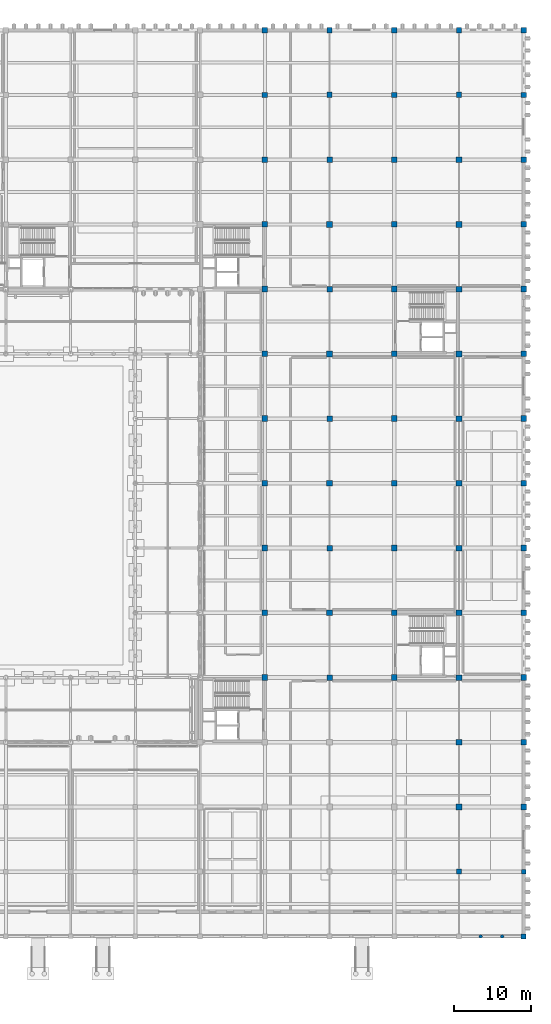
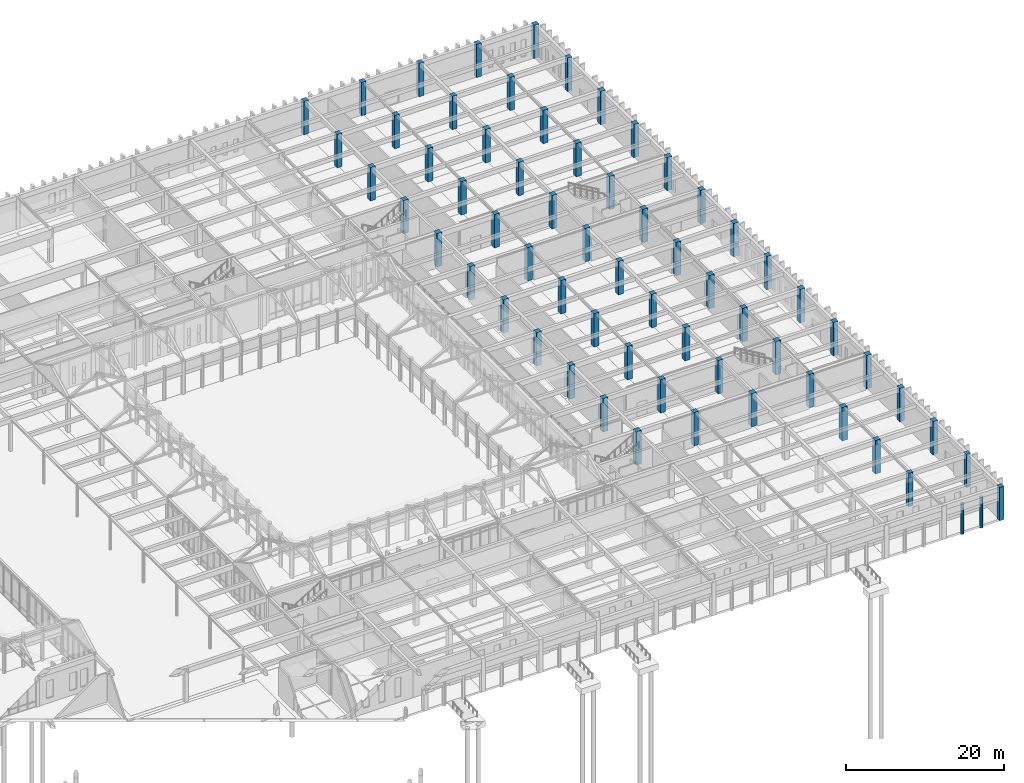
# One storey, part 20 of 143: 64 columns.
"""IFC4 building model written with IfcOpenShell, lengths in metres."""

from ifc_helpers import new_model, si_unit, direction, frame, origin, origin_2d, place, context, subcontext, project, spatial, rectangle, circle, extrude, material, material_profile, profile_set, type_object, element, save


model = new_model("IFC4")

# Units and contexts
model_context = context("Model", 3, precision=1e-05, world=origin(), true_north=direction((0.0, 1.0)))
body_context = subcontext(model_context, "Body", "Model", "MODEL_VIEW")
ifc_project = project(units=[si_unit("LENGTHUNIT", "METRE"), si_unit("AREAUNIT", "SQUARE_METRE"), si_unit("VOLUMEUNIT", "CUBIC_METRE"), si_unit("PLANEANGLEUNIT", "RADIAN"), si_unit("MASSUNIT", "GRAM", prefix="KILO")], contexts=[model_context])

# Site, building, storey
site_placement = place(None, origin())
site = spatial("IfcSite", under=ifc_project, at=site_placement, CompositionType="ELEMENT")
building_placement = place(site_placement, origin())
building = spatial("IfcBuilding", under=site, at=building_placement, Name="Kveldsbrygga Polytechnic", CompositionType="ELEMENT")
storey_placement = place(building_placement, origin())
storey = spatial("IfcBuildingStorey", under=building, at=storey_placement, Name="L00", CompositionType="ELEMENT", Elevation=0.0)

# Columns
ifc_material = material(Name="Concrete C45/55", Category="concrete")
ifc_material_profile_1 = material_profile(ifc_material, circle(Radius=0.22509765625, at=origin_2d()), Name="RC D450")
ifc_profile_set_1 = profile_set([ifc_material_profile_1], Name="Concrete C45/55")
column_type_1 = type_object("IfcColumnType", Name="COL-ARC-D450", PredefinedType="COLUMN", material=ifc_profile_set_1)
for number, where, z_axis, x_axis, name in (
    (1, (162.39990234375, 0.0, -0.320068359375), (0.0, 0.0, 1.0), (1.0, 0.0, 0.0), "Cloister Arcade Pier COL-ARC-039"),
    (2, (165.199951171875, 0.0, -0.320068359375), (0.0, 0.0, 1.0), (1.0, 0.0, 0.0), "Cloister Arcade Pier COL-ARC-040"),
):
    element("IfcColumn", number, at=place(storey_placement, frame(where, z_axis=z_axis, x_axis=x_axis)), inside=storey, type_object=column_type_1, Name=name, PredefinedType="COLUMN", context=body_context, shape_type="SweptSolid", body=[
        extrude(circle(Radius=0.22509765625, at=origin_2d()), origin(), (0.0, 0.0, 1.0), 4.719970703125),
    ])
ifc_material_profile_2 = material_profile(ifc_material, rectangle(XDim=0.6201171875, YDim=0.6201171875, at=origin_2d()), Name="RC 620x620")
ifc_profile_set_2 = profile_set([ifc_material_profile_2], Name="Concrete C45/55")
column_type_2 = type_object("IfcColumnType", Name="COL-RC-620", PredefinedType="COLUMN", material=ifc_profile_set_2)
column_placement = place(storey_placement, frame((168.0, 8.39990234375, 0.0), z_axis=(0.0, 0.0, 1.0), x_axis=(1.0, 0.0, 0.0)))
element("IfcColumn", 3, at=column_placement, inside=storey, type_object=column_type_2, Name="Column COL-L00-20-01", PredefinedType="COLUMN", context=body_context, shape_type="SweptSolid", body=[
    extrude(rectangle(XDim=0.6201171875, YDim=0.6201171875, at=origin_2d()), origin(), (0.0, 0.0, 1.0), 5.139892578125),
])
ifc_material_profile_3 = material_profile(ifc_material, rectangle(XDim=0.64990234375, YDim=0.64990234375, at=origin_2d()), Name="RC 650x650")
ifc_profile_set_3 = profile_set([ifc_material_profile_3], Name="Concrete C45/55")
column_type_3 = type_object("IfcColumnType", Name="COL-RC-650", PredefinedType="COLUMN", material=ifc_profile_set_3)
for number, where, z_axis, x_axis, name in (
    (4, (159.60009765625, 8.39990234375, 0.0), (0.0, 0.0, 1.0), (1.0, 0.0, 0.0), "Column COL-L00-19-01"),
    (5, (168.0, 0.0, 0.0), (0.0, 0.0, 1.0), (1.0, 0.0, 0.0), "Column COL-L00-20-00"),
):
    element("IfcColumn", number, at=place(storey_placement, frame(where, z_axis=z_axis, x_axis=x_axis)), inside=storey, type_object=column_type_3, Name=name, PredefinedType="COLUMN", context=body_context, shape_type="SweptSolid", body=[
        extrude(rectangle(XDim=0.64990234375, YDim=0.64990234375, at=origin_2d()), origin(), (0.0, 0.0, 1.0), 5.139892578125),
    ])
ifc_material_profile_4 = material_profile(ifc_material, rectangle(XDim=0.679931640625, YDim=0.679931640625, at=origin_2d()), Name="RC 680x680")
ifc_profile_set_4 = profile_set([ifc_material_profile_4], Name="Concrete C45/55")
column_type_4 = type_object("IfcColumnType", Name="COL-RC-680", PredefinedType="COLUMN", material=ifc_profile_set_4)
for number, where, z_axis, x_axis, name in (
    (6, (134.39990234375, 109.199951171875, 0.0), (0.0, 0.0, 1.0), (1.0, 0.0, 0.0), "Column COL-L00-16-13"),
    (7, (142.800048828125, 117.60009765625, 0.0), (0.0, 0.0, 1.0), (1.0, 0.0, 0.0), "Column COL-L00-17-14"),
    (8, (151.199951171875, 109.199951171875, 0.0), (0.0, 0.0, 1.0), (1.0, 0.0, 0.0), "Column COL-L00-18-13"),
    (9, (159.60009765625, 117.60009765625, 0.0), (0.0, 0.0, 1.0), (1.0, 0.0, 0.0), "Column COL-L00-19-14"),
    (10, (168.0, 109.199951171875, 0.0), (0.0, 0.0, 1.0), (1.0, 0.0, 0.0), "Column COL-L00-20-13"),
):
    element("IfcColumn", number, at=place(storey_placement, frame(where, z_axis=z_axis, x_axis=x_axis)), inside=storey, type_object=column_type_4, Name=name, PredefinedType="COLUMN", context=body_context, shape_type="SweptSolid", body=[
        extrude(rectangle(XDim=0.679931640625, YDim=0.679931640625, at=origin_2d()), origin(), (0.0, 0.0, 1.0), 5.139892578125),
    ])
ifc_material_profile_5 = material_profile(ifc_material, rectangle(XDim=0.699951171875, YDim=0.699951171875, at=origin_2d()), Name="RC 700x700")
ifc_profile_set_5 = profile_set([ifc_material_profile_5], Name="Concrete C45/55")
column_type_5 = type_object("IfcColumnType", Name="COL-RC-700", PredefinedType="COLUMN", material=ifc_profile_set_5)
for number, where, z_axis, x_axis, name in (
    (11, (134.39990234375, 117.60009765625, 0.0), (0.0, 0.0, 1.0), (1.0, 0.0, 0.0), "Column COL-L00-16-14"),
    (12, (142.800048828125, 109.199951171875, 0.0), (0.0, 0.0, 1.0), (1.0, 0.0, 0.0), "Column COL-L00-17-13"),
    (13, (151.199951171875, 117.60009765625, 0.0), (0.0, 0.0, 1.0), (1.0, 0.0, 0.0), "Column COL-L00-18-14"),
    (14, (159.60009765625, 109.199951171875, 0.0), (0.0, 0.0, 1.0), (1.0, 0.0, 0.0), "Column COL-L00-19-13"),
    (15, (168.0, 117.60009765625, 0.0), (0.0, 0.0, 1.0), (1.0, 0.0, 0.0), "Column COL-L00-20-14"),
):
    element("IfcColumn", number, at=place(storey_placement, frame(where, z_axis=z_axis, x_axis=x_axis)), inside=storey, type_object=column_type_5, Name=name, PredefinedType="COLUMN", context=body_context, shape_type="SweptSolid", body=[
        extrude(rectangle(XDim=0.699951171875, YDim=0.699951171875, at=origin_2d()), origin(), (0.0, 0.0, 1.0), 5.139892578125),
    ])
ifc_material_profile_6 = material_profile(ifc_material, rectangle(XDim=0.719970703125, YDim=0.719970703125, at=origin_2d()), Name="RC 720x720")
ifc_profile_set_6 = profile_set([ifc_material_profile_6], Name="Concrete C45/55")
column_type_6 = type_object("IfcColumnType", Name="COL-RC-720", PredefinedType="COLUMN", material=ifc_profile_set_6)
for number, where, z_axis, x_axis, name in (
    (16, (134.39990234375, 42.0, 0.0), (0.0, 0.0, 1.0), (1.0, 0.0, 0.0), "Column COL-L00-16-05"),
    (17, (134.39990234375, 58.800048828125, 0.0), (0.0, 0.0, 1.0), (1.0, 0.0, 0.0), "Column COL-L00-16-07"),
    (18, (134.39990234375, 75.60009765625, 0.0), (0.0, 0.0, 1.0), (1.0, 0.0, 0.0), "Column COL-L00-16-09"),
    (19, (134.39990234375, 92.39990234375, 0.0), (0.0, 0.0, 1.0), (1.0, 0.0, 0.0), "Column COL-L00-16-11"),
    (20, (142.800048828125, 33.60009765625, 0.0), (0.0, 0.0, 1.0), (1.0, 0.0, 0.0), "Column COL-L00-17-04"),
    (21, (142.800048828125, 50.39990234375, 0.0), (0.0, 0.0, 1.0), (1.0, 0.0, 0.0), "Column COL-L00-17-06"),
    (22, (142.800048828125, 67.199951171875, 0.0), (0.0, 0.0, 1.0), (1.0, 0.0, 0.0), "Column COL-L00-17-08"),
    (23, (142.800048828125, 84.0, 0.0), (0.0, 0.0, 1.0), (1.0, 0.0, 0.0), "Column COL-L00-17-10"),
    (24, (142.800048828125, 100.800048828125, 0.0), (0.0, 0.0, 1.0), (1.0, 0.0, 0.0), "Column COL-L00-17-12"),
    (25, (151.199951171875, 42.0, 0.0), (0.0, 0.0, 1.0), (1.0, 0.0, 0.0), "Column COL-L00-18-05"),
    (26, (151.199951171875, 58.800048828125, 0.0), (0.0, 0.0, 1.0), (1.0, 0.0, 0.0), "Column COL-L00-18-07"),
    (27, (151.199951171875, 75.60009765625, 0.0), (0.0, 0.0, 1.0), (1.0, 0.0, 0.0), "Column COL-L00-18-09"),
    (28, (151.199951171875, 92.39990234375, 0.0), (0.0, 0.0, 1.0), (1.0, 0.0, 0.0), "Column COL-L00-18-11"),
    (29, (159.60009765625, 16.800048828125, 0.0), (0.0, 0.0, 1.0), (1.0, 0.0, 0.0), "Column COL-L00-19-02"),
    (30, (159.60009765625, 33.60009765625, 0.0), (0.0, 0.0, 1.0), (1.0, 0.0, 0.0), "Column COL-L00-19-04"),
    (31, (159.60009765625, 50.39990234375, 0.0), (0.0, 0.0, 1.0), (1.0, 0.0, 0.0), "Column COL-L00-19-06"),
    (32, (159.60009765625, 67.199951171875, 0.0), (0.0, 0.0, 1.0), (1.0, 0.0, 0.0), "Column COL-L00-19-08"),
    (33, (159.60009765625, 84.0, 0.0), (0.0, 0.0, 1.0), (1.0, 0.0, 0.0), "Column COL-L00-19-10"),
    (34, (159.60009765625, 100.800048828125, 0.0), (0.0, 0.0, 1.0), (1.0, 0.0, 0.0), "Column COL-L00-19-12"),
    (35, (168.0, 25.199951171875, 0.0), (0.0, 0.0, 1.0), (1.0, 0.0, 0.0), "Column COL-L00-20-03"),
    (36, (168.0, 42.0, 0.0), (0.0, 0.0, 1.0), (1.0, 0.0, 0.0), "Column COL-L00-20-05"),
    (37, (168.0, 58.800048828125, 0.0), (0.0, 0.0, 1.0), (1.0, 0.0, 0.0), "Column COL-L00-20-07"),
    (38, (168.0, 75.60009765625, 0.0), (0.0, 0.0, 1.0), (1.0, 0.0, 0.0), "Column COL-L00-20-09"),
    (39, (168.0, 92.39990234375, 0.0), (0.0, 0.0, 1.0), (1.0, 0.0, 0.0), "Column COL-L00-20-11"),
):
    element("IfcColumn", number, at=place(storey_placement, frame(where, z_axis=z_axis, x_axis=x_axis)), inside=storey, type_object=column_type_6, Name=name, PredefinedType="COLUMN", context=body_context, shape_type="SweptSolid", body=[
        extrude(rectangle(XDim=0.719970703125, YDim=0.719970703125, at=origin_2d()), origin(), (0.0, 0.0, 1.0), 5.139892578125),
    ])
ifc_material_profile_7 = material_profile(ifc_material, rectangle(XDim=0.75, YDim=0.75, at=origin_2d()), Name="RC 750x750")
ifc_profile_set_7 = profile_set([ifc_material_profile_7], Name="Concrete C45/55")
column_type_7 = type_object("IfcColumnType", Name="COL-RC-750", PredefinedType="COLUMN", material=ifc_profile_set_7)
for number, where, z_axis, x_axis, name in (
    (40, (134.39990234375, 33.60009765625, 0.0), (0.0, 0.0, 1.0), (1.0, 0.0, 0.0), "Column COL-L00-16-04"),
    (41, (134.39990234375, 50.39990234375, 0.0), (0.0, 0.0, 1.0), (1.0, 0.0, 0.0), "Column COL-L00-16-06"),
    (42, (134.39990234375, 67.199951171875, 0.0), (0.0, 0.0, 1.0), (1.0, 0.0, 0.0), "Column COL-L00-16-08"),
    (43, (134.39990234375, 84.0, 0.0), (0.0, 0.0, 1.0), (1.0, 0.0, 0.0), "Column COL-L00-16-10"),
    (44, (134.39990234375, 100.800048828125, 0.0), (0.0, 0.0, 1.0), (1.0, 0.0, 0.0), "Column COL-L00-16-12"),
    (45, (142.800048828125, 42.0, 0.0), (0.0, 0.0, 1.0), (1.0, 0.0, 0.0), "Column COL-L00-17-05"),
    (46, (142.800048828125, 58.800048828125, 0.0), (0.0, 0.0, 1.0), (1.0, 0.0, 0.0), "Column COL-L00-17-07"),
    (47, (142.800048828125, 75.60009765625, 0.0), (0.0, 0.0, 1.0), (1.0, 0.0, 0.0), "Column COL-L00-17-09"),
    (48, (142.800048828125, 92.39990234375, 0.0), (0.0, 0.0, 1.0), (1.0, 0.0, 0.0), "Column COL-L00-17-11"),
    (49, (151.199951171875, 33.60009765625, 0.0), (0.0, 0.0, 1.0), (1.0, 0.0, 0.0), "Column COL-L00-18-04"),
    (50, (151.199951171875, 50.39990234375, 0.0), (0.0, 0.0, 1.0), (1.0, 0.0, 0.0), "Column COL-L00-18-06"),
    (51, (151.199951171875, 67.199951171875, 0.0), (0.0, 0.0, 1.0), (1.0, 0.0, 0.0), "Column COL-L00-18-08"),
    (52, (151.199951171875, 84.0, 0.0), (0.0, 0.0, 1.0), (1.0, 0.0, 0.0), "Column COL-L00-18-10"),
    (53, (151.199951171875, 100.800048828125, 0.0), (0.0, 0.0, 1.0), (1.0, 0.0, 0.0), "Column COL-L00-18-12"),
    (54, (159.60009765625, 25.199951171875, 0.0), (0.0, 0.0, 1.0), (1.0, 0.0, 0.0), "Column COL-L00-19-03"),
    (55, (159.60009765625, 42.0, 0.0), (0.0, 0.0, 1.0), (1.0, 0.0, 0.0), "Column COL-L00-19-05"),
    (56, (159.60009765625, 58.800048828125, 0.0), (0.0, 0.0, 1.0), (1.0, 0.0, 0.0), "Column COL-L00-19-07"),
    (57, (159.60009765625, 75.60009765625, 0.0), (0.0, 0.0, 1.0), (1.0, 0.0, 0.0), "Column COL-L00-19-09"),
    (58, (159.60009765625, 92.39990234375, 0.0), (0.0, 0.0, 1.0), (1.0, 0.0, 0.0), "Column COL-L00-19-11"),
    (59, (168.0, 16.800048828125, 0.0), (0.0, 0.0, 1.0), (1.0, 0.0, 0.0), "Column COL-L00-20-02"),
    (60, (168.0, 33.60009765625, 0.0), (0.0, 0.0, 1.0), (1.0, 0.0, 0.0), "Column COL-L00-20-04"),
    (61, (168.0, 50.39990234375, 0.0), (0.0, 0.0, 1.0), (1.0, 0.0, 0.0), "Column COL-L00-20-06"),
    (62, (168.0, 67.199951171875, 0.0), (0.0, 0.0, 1.0), (1.0, 0.0, 0.0), "Column COL-L00-20-08"),
    (63, (168.0, 84.0, 0.0), (0.0, 0.0, 1.0), (1.0, 0.0, 0.0), "Column COL-L00-20-10"),
    (64, (168.0, 100.800048828125, 0.0), (0.0, 0.0, 1.0), (1.0, 0.0, 0.0), "Column COL-L00-20-12"),
):
    element("IfcColumn", number, at=place(storey_placement, frame(where, z_axis=z_axis, x_axis=x_axis)), inside=storey, type_object=column_type_7, Name=name, PredefinedType="COLUMN", context=body_context, shape_type="SweptSolid", body=[
        extrude(rectangle(XDim=0.75, YDim=0.75, at=origin_2d()), origin(), (0.0, 0.0, 1.0), 5.139892578125),
    ])

save(model, "model.ifc")
